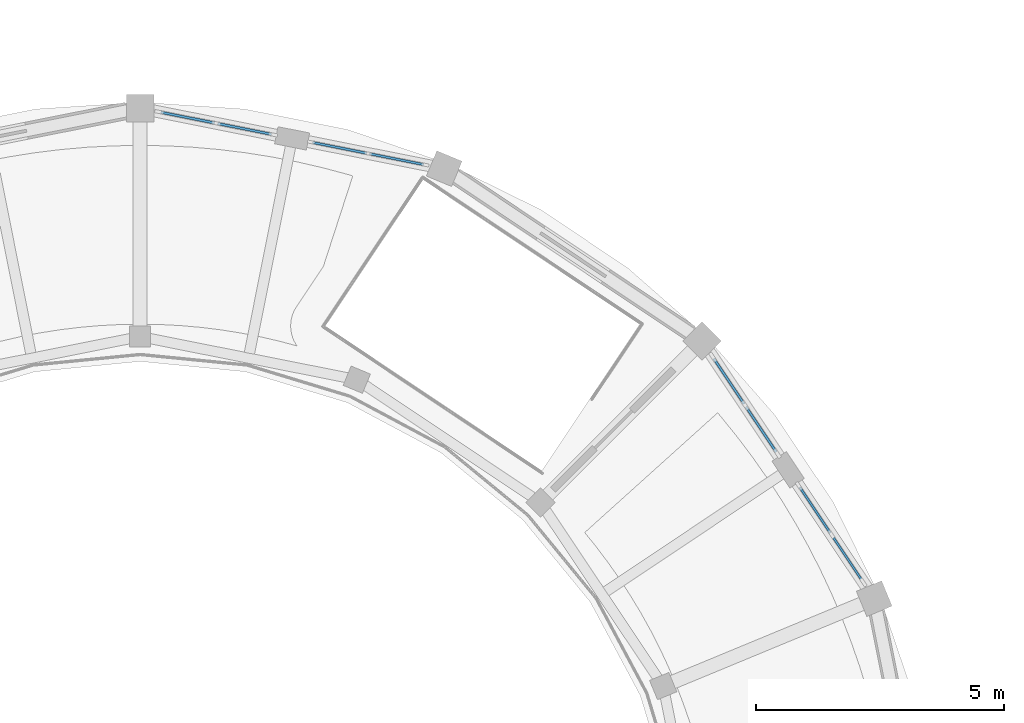
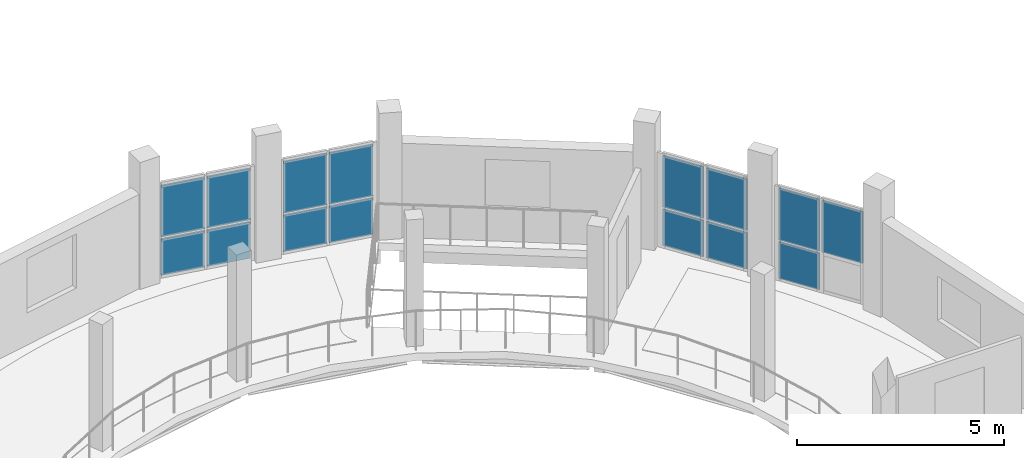
# One storey, part 51 of 77: 15 plates, 4 elements without a shape of their own.
"""IFC4 building model written with IfcOpenShell, lengths in metres."""

from ifc_helpers import new_model, si_unit, direction, frame, origin, origin_2d, place, context, subcontext, project, spatial, rectangle, extrude, material, layer, layer_set, type_object, element, aggregate, save


model = new_model("IFC4")

# Units and contexts
model_context = context("Model", 3, precision=1e-05, world=origin(), true_north=direction((0.0, 1.0)))
body_context = subcontext(model_context, "Body", "Model", "MODEL_VIEW")
ifc_project = project(units=[si_unit("LENGTHUNIT", "METRE"), si_unit("AREAUNIT", "SQUARE_METRE"), si_unit("VOLUMEUNIT", "CUBIC_METRE"), si_unit("PLANEANGLEUNIT", "RADIAN"), si_unit("MASSUNIT", "GRAM", prefix="KILO")], contexts=[model_context])

# Site, building, storey
site_placement = place(None, origin())
site = spatial("IfcSite", under=ifc_project, at=site_placement, CompositionType="ELEMENT")
building_placement = place(site_placement, origin())
building = spatial("IfcBuilding", under=site, at=building_placement, Name="Caldaven Crescent School", CompositionType="ELEMENT")
storey_placement = place(building_placement, frame((0.0, 0.0, 4.419921875)))
storey = spatial("IfcBuildingStorey", under=building, at=storey_placement, Name="L01", CompositionType="ELEMENT", Elevation=4.419921875)

# Curtain wall, plates
ifc_material_1 = material(Name="Anodised aluminium AA 6063-T6 and low-E double glazing", Category="aluminium")
ifc_layer_1 = layer(ifc_material_1, 0.18994140625)
ifc_layer_set_1 = layer_set([ifc_layer_1], Name="Anodised aluminium AA 6063-T6 and low-E double glazing")
curtain_wall_type_1 = type_object("IfcCurtainWallType", Name="CW-SYS2", PredefinedType="NOTDEFINED", material=ifc_layer_set_1)
curtain_wall_1_placement = place(storey_placement, origin())
curtain_wall_1 = element("IfcCurtainWall", 1, at=curtain_wall_1_placement, inside=storey, type_object=curtain_wall_type_1, Name="CW-L01-057", PredefinedType="NOTDEFINED")
ifc_material_2 = material(Name="Tempered low-E double glazing IGU", Category="glass")
ifc_layer_2 = layer(ifc_material_2, 0.0439453125)
ifc_layer_set_2 = layer_set([ifc_layer_2], Name="Tempered low-E double glazing IGU")
plate_type_1 = type_object("IfcPlateType", Name="PLT-CWP10", PredefinedType="CURTAIN_PANEL", material=ifc_layer_set_2)
plate_1_placement = place(storey_placement, frame((37.739501953125, 105.43505859375, 1.197998046875), z_axis=(0.0, 0.0, 1.0), x_axis=(-0.555569561758, 0.831470060825, 0.0)))
plate_1 = element("IfcPlate", 2, at=plate_1_placement, type_object=plate_type_1, Name="CW2 panel 1.2", PredefinedType="CURTAIN_PANEL", context=body_context, shape_type="SweptSolid", body=[
    extrude(rectangle(XDim=1.103271484375, YDim=0.0439453125, at=origin_2d()), origin(), (0.0, 0.0, 1.0), 1.52197265625),
])
plate_2_placement = place(storey_placement, frame((37.090576171875, 106.40625, 0.06005859375), z_axis=(0.0, 0.0, 1.0), x_axis=(-0.555569561758, 0.831470060825, 0.0)))
plate_2 = element("IfcPlate", 3, at=plate_2_placement, type_object=plate_type_1, Name="CW2 panel 2.1", PredefinedType="CURTAIN_PANEL", context=body_context, shape_type="SweptSolid", body=[
    extrude(rectangle(XDim=1.103271484375, YDim=0.0439453125, at=origin_2d()), origin(), (0.0, 0.0, 1.0), 1.077880859375),
])
plate_3_placement = place(storey_placement, frame((37.090576171875, 106.40625, 1.197998046875), z_axis=(0.0, 0.0, 1.0), x_axis=(-0.555569561758, 0.831470060825, 0.0)))
plate_3 = element("IfcPlate", 4, at=plate_3_placement, type_object=plate_type_1, Name="CW2 panel 2.2", PredefinedType="CURTAIN_PANEL", context=body_context, shape_type="SweptSolid", body=[
    extrude(rectangle(XDim=1.103271484375, YDim=0.0439453125, at=origin_2d()), origin(), (0.0, 0.0, 1.0), 1.52197265625),
])
aggregate(curtain_wall_1, [plate_1, plate_2, plate_3])

ifc_layer_3 = layer(ifc_material_1, 0.2099609375)
ifc_layer_set_3 = layer_set([ifc_layer_3], Name="Anodised aluminium AA 6063-T6 and low-E double glazing")
curtain_wall_type_2 = type_object("IfcCurtainWallType", Name="CW-SYS3", PredefinedType="NOTDEFINED", material=ifc_layer_set_3)
curtain_wall_2_placement = place(storey_placement, origin())
curtain_wall_2 = element("IfcCurtainWall", 5, at=curtain_wall_2_placement, inside=storey, type_object=curtain_wall_type_2, Name="CW-L01-058", PredefinedType="NOTDEFINED")
ifc_layer_4 = layer(ifc_material_2, 0.0458984375)
ifc_layer_set_4 = layer_set([ifc_layer_4], Name="Tempered low-E double glazing IGU")
plate_type_2 = type_object("IfcPlateType", Name="PLT-CWP11", PredefinedType="CURTAIN_PANEL", material=ifc_layer_set_4)
plate_4_placement = place(storey_placement, frame((36.004638671875, 108.031494140625, 0.06494140625), z_axis=(0.0, 0.0, 1.0), x_axis=(-0.555572440609, 0.831468137234, 0.0)))
plate_4 = element("IfcPlate", 6, at=plate_4_placement, type_object=plate_type_2, Name="CW3 panel 1.1", PredefinedType="CURTAIN_PANEL", context=body_context, shape_type="SweptSolid", body=[
    extrude(rectangle(XDim=1.095703125, YDim=0.0458984375, at=origin_2d()), origin(), (0.0, 0.0, 1.0), 1.070556640625),
])
plate_5_placement = place(storey_placement, frame((36.004638671875, 108.031494140625, 1.20068359375), z_axis=(0.0, 0.0, 1.0), x_axis=(-0.555572440609, 0.831468137234, 0.0)))
plate_5 = element("IfcPlate", 7, at=plate_5_placement, type_object=plate_type_2, Name="CW3 panel 1.2", PredefinedType="CURTAIN_PANEL", context=body_context, shape_type="SweptSolid", body=[
    extrude(rectangle(XDim=1.095703125, YDim=0.0458984375, at=origin_2d()), origin(), (0.0, 0.0, 1.0), 1.514404296875),
])
plate_6_placement = place(storey_placement, frame((35.35693359375, 109.000732421875, 0.06494140625), z_axis=(0.0, 0.0, 1.0), x_axis=(-0.555572440609, 0.831468137234, 0.0)))
plate_6 = element("IfcPlate", 8, at=plate_6_placement, type_object=plate_type_2, Name="CW3 panel 2.1", PredefinedType="CURTAIN_PANEL", context=body_context, shape_type="SweptSolid", body=[
    extrude(rectangle(XDim=1.095703125, YDim=0.0458984375, at=origin_2d()), origin(), (0.0, 0.0, 1.0), 1.070556640625),
])
plate_7_placement = place(storey_placement, frame((35.35693359375, 109.000732421875, 1.20068359375), z_axis=(0.0, 0.0, 1.0), x_axis=(-0.555572440609, 0.831468137234, 0.0)))
plate_7 = element("IfcPlate", 9, at=plate_7_placement, type_object=plate_type_2, Name="CW3 panel 2.2", PredefinedType="CURTAIN_PANEL", context=body_context, shape_type="SweptSolid", body=[
    extrude(rectangle(XDim=1.095703125, YDim=0.0458984375, at=origin_2d()), origin(), (0.0, 0.0, 1.0), 1.514404296875),
])
aggregate(curtain_wall_2, [plate_4, plate_5, plate_6, plate_7])

ifc_layer_5 = layer(ifc_material_1, 0.22998046875)
ifc_layer_set_5 = layer_set([ifc_layer_5], Name="Anodised aluminium AA 6063-T6 and low-E double glazing")
curtain_wall_type_3 = type_object("IfcCurtainWallType", Name="CW-SYS4", PredefinedType="NOTDEFINED", material=ifc_layer_set_5)
curtain_wall_3_placement = place(storey_placement, origin())
curtain_wall_3 = element("IfcCurtainWall", 10, at=curtain_wall_3_placement, inside=storey, type_object=curtain_wall_type_3, Name="CW-L01-059", PredefinedType="NOTDEFINED")
ifc_layer_6 = layer(ifc_material_2, 0.048095703125)
ifc_layer_set_6 = layer_set([ifc_layer_6], Name="Tempered low-E double glazing IGU")
plate_type_3 = type_object("IfcPlateType", Name="PLT-CWP12", PredefinedType="CURTAIN_PANEL", material=ifc_layer_set_6)
plate_8_placement = place(storey_placement, frame((28.666259765625, 113.472412109375, 0.06494140625), z_axis=(0.0, 0.0, 1.0), x_axis=(-0.980785941636, 0.195086997747, 0.0)))
plate_8 = element("IfcPlate", 11, at=plate_8_placement, type_object=plate_type_3, Name="CW4 panel 1.1", PredefinedType="CURTAIN_PANEL", context=body_context, shape_type="SweptSolid", body=[
    extrude(rectangle(XDim=1.11083984375, YDim=0.048095703125, at=origin_2d()), origin(), (0.0, 0.0, 1.0), 1.070556640625),
])
plate_9_placement = place(storey_placement, frame((28.666259765625, 113.472412109375, 1.20068359375), z_axis=(0.0, 0.0, 1.0), x_axis=(-0.980785941636, 0.195086997747, 0.0)))
plate_9 = element("IfcPlate", 12, at=plate_9_placement, type_object=plate_type_3, Name="CW4 panel 1.2", PredefinedType="CURTAIN_PANEL", context=body_context, shape_type="SweptSolid", body=[
    extrude(rectangle(XDim=1.11083984375, YDim=0.048095703125, at=origin_2d()), origin(), (0.0, 0.0, 1.0), 1.514404296875),
])
plate_10_placement = place(storey_placement, frame((27.51806640625, 113.70068359375, 0.06494140625), z_axis=(0.0, 0.0, 1.0), x_axis=(-0.980785941636, 0.195086997747, 0.0)))
plate_10 = element("IfcPlate", 13, at=plate_10_placement, type_object=plate_type_3, Name="CW4 panel 2.1", PredefinedType="CURTAIN_PANEL", context=body_context, shape_type="SweptSolid", body=[
    extrude(rectangle(XDim=1.11083984375, YDim=0.048095703125, at=origin_2d()), origin(), (0.0, 0.0, 1.0), 1.070556640625),
])
plate_11_placement = place(storey_placement, frame((27.51806640625, 113.70068359375, 1.20068359375), z_axis=(0.0, 0.0, 1.0), x_axis=(-0.980785941636, 0.195086997747, 0.0)))
plate_11 = element("IfcPlate", 14, at=plate_11_placement, type_object=plate_type_3, Name="CW4 panel 2.2", PredefinedType="CURTAIN_PANEL", context=body_context, shape_type="SweptSolid", body=[
    extrude(rectangle(XDim=1.11083984375, YDim=0.048095703125, at=origin_2d()), origin(), (0.0, 0.0, 1.0), 1.514404296875),
])
aggregate(curtain_wall_3, [plate_8, plate_9, plate_10, plate_11])

ifc_layer_7 = layer(ifc_material_1, 0.169921875)
ifc_layer_set_7 = layer_set([ifc_layer_7], Name="Anodised aluminium AA 6063-T6 and low-E double glazing")
curtain_wall_type_4 = type_object("IfcCurtainWallType", Name="CW-SYS1", PredefinedType="NOTDEFINED", material=ifc_layer_set_7)
curtain_wall_4_placement = place(storey_placement, origin())
curtain_wall_4 = element("IfcCurtainWall", 15, at=curtain_wall_4_placement, inside=storey, type_object=curtain_wall_type_4, Name="CW-L01-060", PredefinedType="NOTDEFINED")
ifc_layer_8 = layer(ifc_material_2, 0.050048828125)
ifc_layer_set_8 = layer_set([ifc_layer_8], Name="Tempered low-E double glazing IGU")
plate_type_4 = type_object("IfcPlateType", Name="PLT-CWP13", PredefinedType="CURTAIN_PANEL", material=ifc_layer_set_8)
plate_12_placement = place(storey_placement, frame((25.603515625, 114.08154296875, 0.070068359375), z_axis=(0.0, 0.0, 1.0), x_axis=(-0.980785144861, 0.19509100343, 0.0)))
plate_12 = element("IfcPlate", 16, at=plate_12_placement, type_object=plate_type_4, Name="CW1 panel 1.1", PredefinedType="CURTAIN_PANEL", context=body_context, shape_type="SweptSolid", body=[
    extrude(rectangle(XDim=1.103271484375, YDim=0.050048828125, at=origin_2d()), origin(), (0.0, 0.0, 1.0), 1.06298828125),
])
plate_13_placement = place(storey_placement, frame((25.603515625, 114.08154296875, 1.203125), z_axis=(0.0, 0.0, 1.0), x_axis=(-0.980785144861, 0.19509100343, 0.0)))
plate_13 = element("IfcPlate", 17, at=plate_13_placement, type_object=plate_type_4, Name="CW1 panel 1.2", PredefinedType="CURTAIN_PANEL", context=body_context, shape_type="SweptSolid", body=[
    extrude(rectangle(XDim=1.103271484375, YDim=0.050048828125, at=origin_2d()), origin(), (0.0, 0.0, 1.0), 1.507080078125),
])
plate_14_placement = place(storey_placement, frame((24.457763671875, 114.3095703125, 0.070068359375), z_axis=(0.0, 0.0, 1.0), x_axis=(-0.980785144861, 0.19509100343, 0.0)))
plate_14 = element("IfcPlate", 18, at=plate_14_placement, type_object=plate_type_4, Name="CW1 panel 2.1", PredefinedType="CURTAIN_PANEL", context=body_context, shape_type="SweptSolid", body=[
    extrude(rectangle(XDim=1.103271484375, YDim=0.050048828125, at=origin_2d()), origin(), (0.0, 0.0, 1.0), 1.06298828125),
])
plate_15_placement = place(storey_placement, frame((24.457763671875, 114.3095703125, 1.203125), z_axis=(0.0, 0.0, 1.0), x_axis=(-0.980785144861, 0.19509100343, 0.0)))
plate_15 = element("IfcPlate", 19, at=plate_15_placement, type_object=plate_type_4, Name="CW1 panel 2.2", PredefinedType="CURTAIN_PANEL", context=body_context, shape_type="SweptSolid", body=[
    extrude(rectangle(XDim=1.103271484375, YDim=0.050048828125, at=origin_2d()), origin(), (0.0, 0.0, 1.0), 1.507080078125),
])
aggregate(curtain_wall_4, [plate_12, plate_13, plate_14, plate_15])

save(model, "model.ifc")
